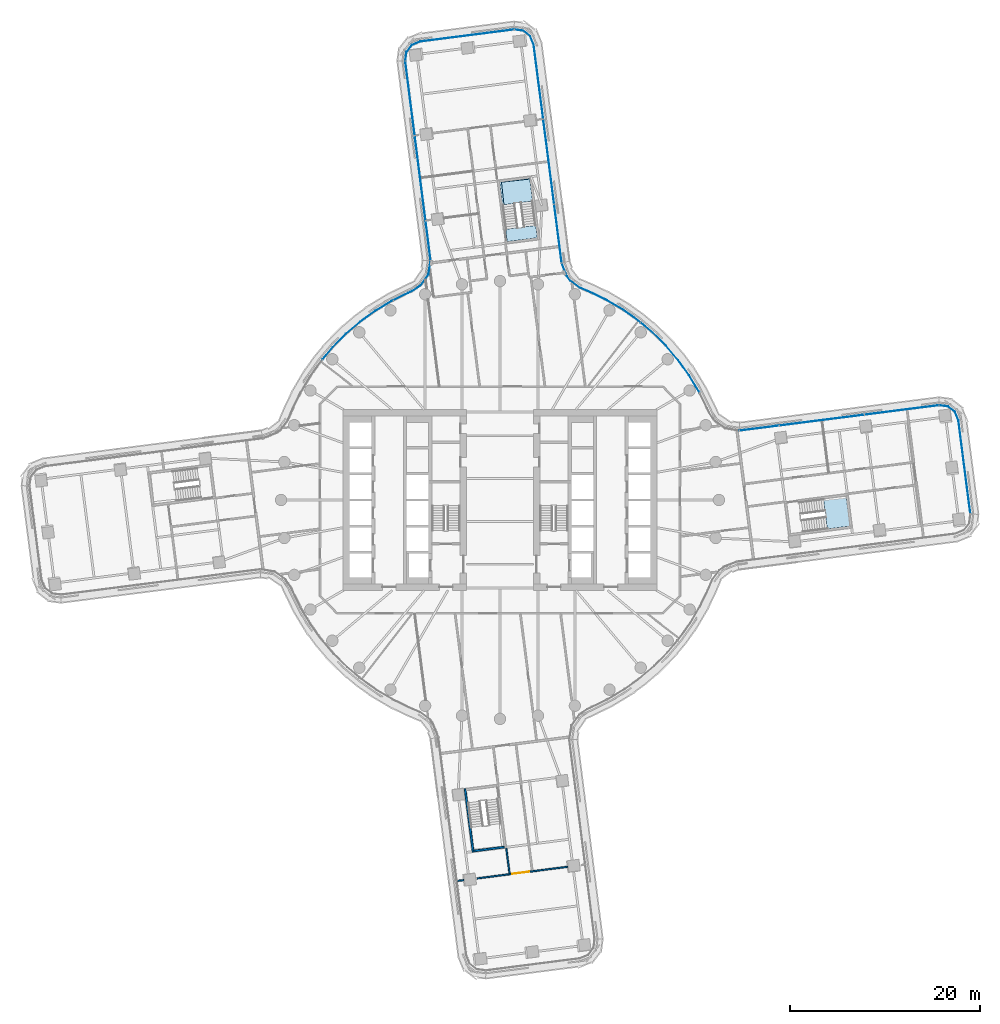
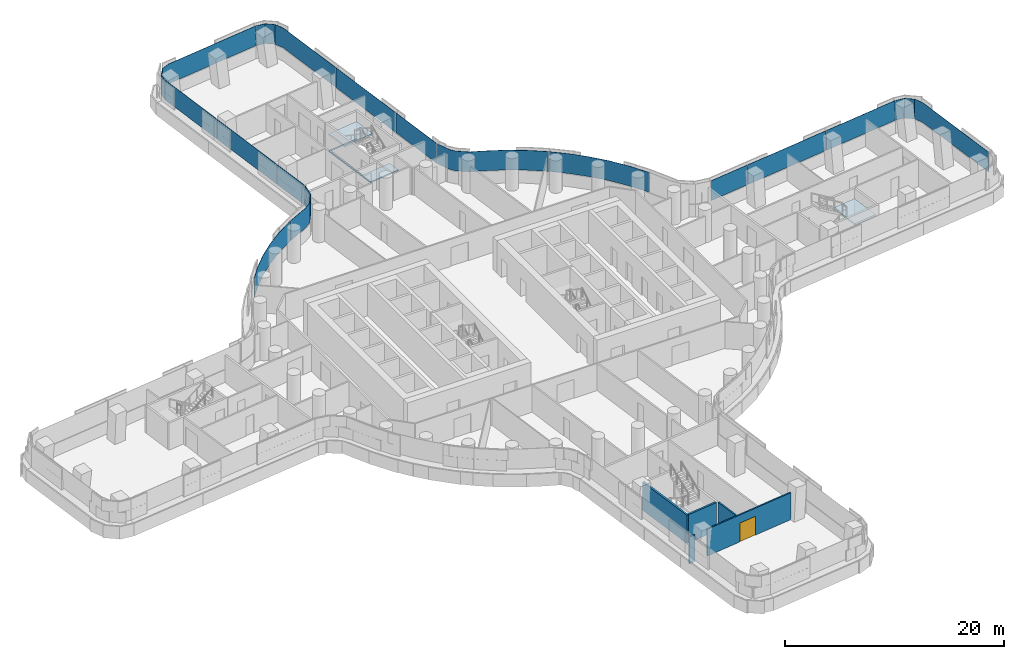
# One storey, part 18 of 31: 15 plates, 5 walls, 3 slabs, 1 door, 1 opening, 9 elements without a shape of their own.
"""IFC4 building model written with IfcOpenShell, lengths in metres."""

import ifcopenshell
import ifcopenshell.guid

model = None  # the IFC model being written
_history = None  # IfcOwnerHistory: only IFC2X3 demands one
_inside = {}  # id of a spatial element -> (the spatial element, [elements in it])
_under = {}  # id of a project, library or spatial element -> (it, [spatial elements below it])
_declared = {}  # id of a project -> (the project, [libraries it declares])
_typed = {}  # id of a type object -> (the type object, [elements of that type])
_made_of = {}  # id of a material, layer set ... -> (it, [elements and type objects made of it])


def new_model(schema):
    """Start an empty IFC model of exactly this schema.

    Asked for "IFC4X3", IfcOpenShell would pick the latest addendum, in which some entities
    have other attributes; the version numbers below select the first issue.
    IFC2X3 requires an IfcOwnerHistory on every rooted entity: one is made here for all.
    """
    global model, _history
    if schema == "IFC4X3":
        model = ifcopenshell.file(schema_version=(4, 3, 0, 0))
    else:
        model = ifcopenshell.file(schema=schema)
    _inside.clear()
    _under.clear()
    _declared.clear()
    _typed.clear()
    _made_of.clear()
    _history = None
    if model.schema == "IFC2X3":
        org = make("IfcOrganization", Name="unknown")
        user = make(
            "IfcPersonAndOrganization",
            ThePerson=make("IfcPerson", FamilyName="unknown"),
            TheOrganization=org,
        )
        app = make(
            "IfcApplication",
            ApplicationDeveloper=org,
            Version="unknown",
            ApplicationFullName="unknown",
            ApplicationIdentifier="unknown",
        )
        _history = make(
            "IfcOwnerHistory",
            OwningUser=user,
            OwningApplication=app,
            ChangeAction="ADDED",
            CreationDate=0,
        )
    return model


def make(cls, **values):
    """One entity of the class cls with the attributes given. An attribute that is None is left unset."""
    return model.create_entity(
        cls, **{name: value for name, value in values.items() if value is not None}
    )


def rooted(cls, **values):
    """An entity with a GlobalId (a new one), such as an element, a storey or a relation."""
    return make(cls, GlobalId=ifcopenshell.guid.new(), OwnerHistory=_history, **values)


def si_unit(unit_type, name, prefix=None):
    """IfcSIUnit, for example si_unit("LENGTHUNIT", "METRE", prefix="MILLI")."""
    return make("IfcSIUnit", UnitType=unit_type, Prefix=prefix, Name=name)


def assignment(units):
    """IfcUnitAssignment: the units of a project."""
    return None if units is None else make("IfcUnitAssignment", Units=units)


def point(xyz):
    """IfcCartesianPoint."""
    return None if xyz is None else make("IfcCartesianPoint", Coordinates=xyz)


def direction(xyz):
    """IfcDirection."""
    return None if xyz is None else make("IfcDirection", DirectionRatios=xyz)


def frame(location, z_axis=None, x_axis=None):
    """IfcAxis2Placement3D, a coordinate frame: its origin and axes. An axis left out is left unset."""
    return make(
        "IfcAxis2Placement3D",
        Location=point(location),
        Axis=direction(z_axis),
        RefDirection=direction(x_axis),
    )


def frame_2d(location, x_axis=None):
    """IfcAxis2Placement2D, a coordinate frame in the plane: its origin and x axis."""
    return make(
        "IfcAxis2Placement2D", Location=point(location), RefDirection=direction(x_axis)
    )


def origin():
    """The frame at (0, 0, 0) with its axes left unset."""
    return frame((0.0, 0.0, 0.0))


def place(relative_to, where):
    """IfcLocalPlacement: puts the frame where relative to a parent placement (None: the world)."""
    return make(
        "IfcLocalPlacement", PlacementRelTo=relative_to, RelativePlacement=where
    )


def context(
    kind, dimensions, precision=None, world=None, true_north=None, identifier=None
):
    """IfcGeometricRepresentationContext, for example the 3D "Model" context."""
    return make(
        "IfcGeometricRepresentationContext",
        ContextIdentifier=identifier,
        ContextType=kind,
        CoordinateSpaceDimension=dimensions,
        Precision=precision,
        WorldCoordinateSystem=world,
        TrueNorth=true_north,
    )


def subcontext(parent, identifier, kind, view, scale=None):
    """IfcGeometricRepresentationSubContext, for example "Body" below "Model"."""
    return make(
        "IfcGeometricRepresentationSubContext",
        ContextIdentifier=identifier,
        ContextType=kind,
        ParentContext=parent,
        TargetScale=scale,
        TargetView=view,
    )


def project(units=None, contexts=None):
    """IfcProject with its units and contexts."""
    return rooted(
        "IfcProject",
        Name="project",
        RepresentationContexts=contexts,
        UnitsInContext=assignment(units),
    )


def spatial(cls, under=None, at=None, **own):
    """A site, building, storey or space (cls), placed at a placement, below another one or the project."""
    s = rooted(cls, ObjectPlacement=at, **own)
    if under is not None:
        _under.setdefault(under.id(), (under, []))[1].append(s)
    return s


def polyline(points):
    """IfcPolyline through the points."""
    return make("IfcPolyline", Points=[point(p) for p in points])


def profile(cls, at=None, kind="AREA", **sizes):
    """A parametric profile (cls). Its sizes go by their IFC names, for example OverallWidth=200.0."""
    return make(cls, ProfileType=kind, Position=at, **sizes)


def rectangle(**sizes):
    """IfcRectangleProfileDef."""
    return profile("IfcRectangleProfileDef", **sizes)


def outline(outer, holes=None, kind="AREA"):
    """IfcArbitraryClosedProfileDef: a profile drawn as a closed curve; with holes, ...WithVoids."""
    if holes is None:
        return make("IfcArbitraryClosedProfileDef", ProfileType=kind, OuterCurve=outer)
    return make(
        "IfcArbitraryProfileDefWithVoids",
        ProfileType=kind,
        OuterCurve=outer,
        InnerCurves=holes,
    )


def extrude(swept, where, along, depth):
    """IfcExtrudedAreaSolid: the profile swept, set in the frame where, extruded along a direction by depth."""
    return make(
        "IfcExtrudedAreaSolid",
        SweptArea=swept,
        Position=where,
        ExtrudedDirection=direction(along),
        Depth=depth,
    )


def shape(context_of_items, identifier, shape_type, items):
    """IfcShapeRepresentation: the items that make up one representation, for example the "Body"."""
    return make(
        "IfcShapeRepresentation",
        ContextOfItems=context_of_items,
        RepresentationIdentifier=identifier,
        RepresentationType=shape_type,
        Items=items,
    )


def material(Name=None, Category=None):
    """IfcMaterial."""
    return make("IfcMaterial", Name=Name, Category=Category)


def layer(
    of_material, thickness, ventilated=None, Name=None, Category=None, Priority=None
):
    """IfcMaterialLayer: one layer of a wall or slab, of a material (None: an air gap)."""
    return make(
        "IfcMaterialLayer",
        Material=of_material,
        LayerThickness=thickness,
        IsVentilated=ventilated,
        Name=Name,
        Category=Category,
        Priority=Priority,
    )


def layer_set(layers, Name=None):
    """IfcMaterialLayerSet."""
    return make("IfcMaterialLayerSet", MaterialLayers=layers, LayerSetName=Name)


def made_of(thing, what):
    """Note that an element or type object is made of a material, layer set ...; save() writes the relation."""
    if what is not None:
        _made_of.setdefault(what.id(), (what, []))[1].append(thing)
    return thing


def type_object(cls, material=None, **own):
    """A type object (cls), such as IfcWallType, which elements share."""
    return made_of(rooted(cls, **own), material)


def element(
    cls,
    number,
    at=None,
    inside=None,
    cuts=None,
    type_object=None,
    material=None,
    context=None,
    identifier="Body",
    shape_type=None,
    held_by="IfcProductDefinitionShape",
    body=None,
    shapes=None,
    **own,
):
    """One element of the class cls, such as IfcWall. Its Tag is "e" and its number.

    at: its placement. inside: the storey or other place that contains it. cuts: it is an
    opening in that element (IfcRelVoidsElement). A single representation is given by context,
    identifier, shape_type and body (its items); several are given by shapes. held_by: the class
    of the entity that holds the representations. save() writes the other relations.
    """
    e = rooted(cls, Tag="e%d" % number, ObjectPlacement=at, **own)
    if body is not None:
        shapes = [shape(context, identifier, shape_type, body)]
    if shapes is not None:
        e.Representation = make(held_by, Representations=shapes)
    if inside is not None:
        _inside.setdefault(inside.id(), (inside, []))[1].append(e)
    if cuts is not None:
        rooted(
            "IfcRelVoidsElement", RelatingBuildingElement=cuts, RelatedOpeningElement=e
        )
    if type_object is not None:
        _typed.setdefault(type_object.id(), (type_object, []))[1].append(e)
    return made_of(e, material)


def fill(opening, filler):
    """IfcRelFillsElement: the door or window that sits in an opening."""
    return rooted(
        "IfcRelFillsElement",
        RelatingOpeningElement=opening,
        RelatedBuildingElement=filler,
    )


def aggregate(whole, parts):
    """IfcRelAggregates: a whole, such as a stair, and the parts it consists of."""
    return rooted("IfcRelAggregates", RelatingObject=whole, RelatedObjects=parts)


def save(model, path):
    """Write the relations noted so far, then the file.

    IfcRelAggregates (storeys below a building ...), IfcRelContainedInSpatialStructure (elements
    in a storey), IfcRelDefinesByType, IfcRelAssociatesMaterial and IfcRelDeclares: one each for
    every whole, place, type object, material and project.
    """
    for whole, parts in _under.values():
        aggregate(whole, parts)
    for where, things in _inside.values():
        rooted(
            "IfcRelContainedInSpatialStructure",
            RelatedElements=things,
            RelatingStructure=where,
        )
    for kind, things in _typed.values():
        rooted("IfcRelDefinesByType", RelatedObjects=things, RelatingType=kind)
    for what, things in _made_of.values():
        rooted("IfcRelAssociatesMaterial", RelatedObjects=things, RelatingMaterial=what)
    for by, libraries in _declared.values():
        rooted("IfcRelDeclares", RelatingContext=by, RelatedDefinitions=libraries)
    model.write(path)


model = new_model("IFC4")

# Units and contexts
model_context = context("Model", 3, precision=1e-05, world=origin(), true_north=direction((0.0, 1.0)))
body_context = subcontext(model_context, "Body", "Model", "MODEL_VIEW")
ifc_project = project(units=[si_unit("LENGTHUNIT", "METRE"), si_unit("AREAUNIT", "SQUARE_METRE"), si_unit("VOLUMEUNIT", "CUBIC_METRE"), si_unit("PLANEANGLEUNIT", "RADIAN"), si_unit("MASSUNIT", "GRAM", prefix="KILO")], contexts=[model_context])

# Site, building, storey
site_placement = place(None, origin())
site = spatial("IfcSite", under=ifc_project, at=site_placement, CompositionType="ELEMENT")
building_placement = place(site_placement, origin())
building = spatial("IfcBuilding", under=site, at=building_placement, Name="Tamarind Cross Interchange Tower", CompositionType="ELEMENT")
storey_placement = place(building_placement, frame((0.0, 0.0, 60.25)))
storey = spatial("IfcBuildingStorey", under=building, at=storey_placement, Name="L13", CompositionType="ELEMENT", Elevation=60.25)

# Slab
ifc_material_1 = material(Name="Concrete C35", Category="concrete")
ifc_layer_1 = layer(ifc_material_1, 0.139892578125)
ifc_layer_set_1 = layer_set([ifc_layer_1], Name="Concrete C35")
slab_type_1 = type_object("IfcSlabType", Name="Composite slab 140 Concrete C35", PredefinedType="FLOOR", material=ifc_layer_set_1)
slab_1_placement = place(storey_placement, frame((0.0, 0.0, -0.139892578125)))
element("IfcSlab", 1, at=slab_1_placement, inside=storey, type_object=slab_type_1, Name="Floor slab L13", PredefinedType="FLOOR", context=body_context, shape_type="SweptSolid", body=[
    extrude(outline(polyline([(0.752197265625, 27.137451171875), (3.926025390625, 27.544921875), (3.759033203125, 28.84619140625), (0.699462890625, 28.45361328125), (0.15771484375, 33.38525390625), (3.134521484375, 33.71240234375), (3.1240234375, 33.793701171875), (-0.0498046875, 33.38623046875), (0.752197265625, 27.137451171875)])), origin(), (0.0, 0.0, 1.0), 0.139892578125),
])

# Stair, slab
ifc_material_2 = material(Name="Exit stair")
stair_type = type_object("IfcStairType", Name="Exit stair", PredefinedType="HALF_TURN_STAIR", material=ifc_material_2)
stair_1_placement = place(storey_placement, origin())
stair_1 = element("IfcStair", 2, at=stair_1_placement, inside=storey, type_object=stair_type, Name="L13 exit stair ST3", PredefinedType="HALF_TURN_STAIR")
ifc_material_3 = material(Name="Concrete C40", Category="concrete")
ifc_layer_2 = layer(ifc_material_3, 0.199951171875)
ifc_layer_set_2 = layer_set([ifc_layer_2], Name="Concrete C40")
slab_type_2 = type_object("IfcSlabType", Name="Stair landing", PredefinedType="LANDING", material=ifc_layer_set_2)
slab_2_placement = place(storey_placement, frame((0.0, 0.0, 1.675048828125)))
slab_2 = element("IfcSlab", 3, at=slab_2_placement, type_object=slab_type_2, Name="ST3 landing 1", PredefinedType="LANDING", context=body_context, shape_type="SweptSolid", body=[
    extrude(outline(polyline([(34.376953125, -3.04931640625), (36.769287109375, -2.7421875), (36.36181640625, 0.431884765625), (33.969482421875, 0.124755859375), (34.376953125, -3.04931640625)])), origin(), (0.0, 0.0, 1.0), 0.199951171875),
])
aggregate(stair_1, [slab_2])

stair_2_placement = place(storey_placement, origin())
stair_2 = element("IfcStair", 4, at=stair_2_placement, inside=storey, type_object=stair_type, Name="L13 exit stair ST4", PredefinedType="HALF_TURN_STAIR")
slab_3_placement = place(storey_placement, frame((0.0, 0.0, 1.675048828125)))
slab_3 = element("IfcSlab", 5, at=slab_3_placement, type_object=slab_type_2, Name="ST4 landing 1", PredefinedType="LANDING", context=body_context, shape_type="SweptSolid", body=[
    extrude(outline(polyline([(3.43115234375, 31.4013671875), (3.1240234375, 33.793701171875), (-0.0498046875, 33.38623046875), (0.257080078125, 30.993896484375), (3.43115234375, 31.4013671875)])), origin(), (0.0, 0.0, 1.0), 0.199951171875),
])
aggregate(stair_2, [slab_3])

# Curtain wall, plate
ifc_material_4 = material(Name="Aluminium 6063-T6", Category="aluminium")
ifc_layer_3 = layer(ifc_material_4, 0.159912109375)
ifc_layer_set_3 = layer_set([ifc_layer_3], Name="Aluminium 6063-T6")
curtain_wall_type = type_object("IfcCurtainWallType", Name="Office curtain wall, 9.0 m bays", PredefinedType="NOTDEFINED", material=ifc_layer_set_3)
curtain_wall_1_placement = place(storey_placement, origin())
curtain_wall_1 = element("IfcCurtainWall", 6, at=curtain_wall_1_placement, inside=storey, type_object=curtain_wall_type, Name="CWS-L13-08", PredefinedType="NOTDEFINED")
ifc_material_5 = material(Name="Laminated low-e glass 8+1.52+8", Category="glass")
ifc_layer_4 = layer(ifc_material_5, 0.028076171875)
ifc_layer_set_4 = layer_set([ifc_layer_4], Name="Laminated low-e glass 8+1.52+8")
plate_type = type_object("IfcPlateType", Name="Vision panel CW1", PredefinedType="CURTAIN_PANEL", material=ifc_layer_set_4)
plate_1_placement = place(storey_placement, frame((0.0, 0.0, 1.39990234375)))
plate_1 = element("IfcPlate", 7, at=plate_1_placement, type_object=plate_type, Name="CWP-L13-08-00", PredefinedType="CURTAIN_PANEL", context=body_context, shape_type="SweptSolid", body=[
    extrude(outline(polyline([(49.40478515625, -1.467041015625), (48.142578125, 8.367919921875), (47.781982421875, 9.24658203125), (47.053466796875, 9.809326171875), (46.139892578125, 9.9326171875), (46.143798828125, 9.960205078125), (47.064453125, 9.8359375), (47.804931640625, 9.26416015625), (48.169921875, 8.375), (49.4326171875, -1.46337890625), (49.40478515625, -1.467041015625)])), origin(), (0.0, 0.0, 1.0), 2.210205078125),
])
aggregate(curtain_wall_1, [plate_1])

# Curtain wall, plates
curtain_wall_2_placement = place(storey_placement, origin())
curtain_wall_2 = element("IfcCurtainWall", 8, at=curtain_wall_2_placement, inside=storey, type_object=curtain_wall_type, Name="CWS-L13-09", PredefinedType="NOTDEFINED")
plate_2_placement = place(storey_placement, frame((0.0, 0.0, 1.39990234375)))
plate_2 = element("IfcPlate", 9, at=plate_2_placement, type_object=plate_type, Name="CWP-L13-09-00", PredefinedType="CURTAIN_PANEL", context=body_context, shape_type="SweptSolid", body=[
    extrude(outline(polyline([(46.083984375, 9.932861328125), (38.296875, 8.9423828125), (38.293212890625, 8.97021484375), (46.08056640625, 9.96044921875), (46.083984375, 9.932861328125)])), origin(), (0.0, 0.0, 1.0), 2.210205078125),
])
plate_3_placement = place(storey_placement, frame((0.0, 0.0, 1.39990234375)))
plate_3 = element("IfcPlate", 10, at=plate_3_placement, type_object=plate_type, Name="CWP-L13-09-01", PredefinedType="CURTAIN_PANEL", context=body_context, shape_type="SweptSolid", body=[
    extrude(outline(polyline([(38.2373046875, 8.934814453125), (29.36767578125, 7.806884765625), (29.364013671875, 7.834716796875), (38.233642578125, 8.962646484375), (38.2373046875, 8.934814453125)])), origin(), (0.0, 0.0, 1.0), 2.210205078125),
])
plate_4_placement = place(storey_placement, frame((0.0, 0.0, 1.39990234375)))
plate_4 = element("IfcPlate", 11, at=plate_4_placement, type_object=plate_type, Name="CWP-L13-09-02", PredefinedType="CURTAIN_PANEL", context=body_context, shape_type="SweptSolid", body=[
    extrude(outline(polyline([(29.30810546875, 7.79931640625), (25.18212890625, 7.2744140625), (25.178466796875, 7.30224609375), (29.304443359375, 7.8271484375), (29.30810546875, 7.79931640625)])), origin(), (0.0, 0.0, 1.0), 2.210205078125),
])
aggregate(curtain_wall_2, [plate_2, plate_3, plate_4])

curtain_wall_3_placement = place(storey_placement, origin())
curtain_wall_3 = element("IfcCurtainWall", 12, at=curtain_wall_3_placement, inside=storey, type_object=curtain_wall_type, Name="CWS-L13-10", PredefinedType="NOTDEFINED")
plate_5_placement = place(storey_placement, frame((0.0, 0.0, 1.39990234375)))
plate_5 = element("IfcPlate", 13, at=plate_5_placement, type_object=plate_type, Name="CWP-L13-10-01", PredefinedType="CURTAIN_PANEL", context=body_context, shape_type="SweptSolid", body=[
    extrude(outline(polyline([(20.948486328125, 11.242919921875), (20.866455078125, 11.40869140625), (19.85302734375, 13.093017578125), (18.7041015625, 14.687744140625), (17.42724609375, 16.18212890625), (16.031494140625, 17.56591796875), (14.757568359375, 18.635498046875), (14.775634765625, 18.656982421875), (16.05029296875, 17.586669921875), (17.44775390625, 16.201171875), (18.72607421875, 14.705078125), (19.87646484375, 13.1083984375), (20.89111328125, 11.422119140625), (20.9736328125, 11.25537109375), (20.948486328125, 11.242919921875)])), origin(), (0.0, 0.0, 1.0), 2.210205078125),
])
plate_6_placement = place(storey_placement, frame((0.0, 0.0, 1.39990234375)))
plate_6 = element("IfcPlate", 14, at=plate_6_placement, type_object=plate_type, Name="CWP-L13-10-02", PredefinedType="CURTAIN_PANEL", context=body_context, shape_type="SweptSolid", body=[
    extrude(outline(polyline([(14.711669921875, 18.674072265625), (14.526123046875, 18.829833984375), (12.921630859375, 19.965087890625), (11.228759765625, 20.9638671875), (9.455810546875, 21.8212890625), (8.36767578125, 22.28466796875), (7.374267578125, 23.02392578125), (7.017333984375, 23.48095703125), (6.48291015625, 24.8544921875), (6.509033203125, 24.86474609375), (7.041748046875, 23.494873046875), (7.39404296875, 23.044189453125), (8.3818359375, 22.30908203125), (9.467529296875, 21.8466796875), (11.241943359375, 20.98876953125), (12.936767578125, 19.988525390625), (14.543212890625, 18.85205078125), (14.729736328125, 18.695556640625), (14.711669921875, 18.674072265625)])), origin(), (0.0, 0.0, 1.0), 2.210205078125),
])
aggregate(curtain_wall_3, [plate_5, plate_6])

curtain_wall_4_placement = place(storey_placement, origin())
curtain_wall_4 = element("IfcCurtainWall", 15, at=curtain_wall_4_placement, inside=storey, type_object=curtain_wall_type, Name="CWS-L13-11", PredefinedType="NOTDEFINED")
plate_7_placement = place(storey_placement, frame((0.0, 0.0, 1.39990234375)))
plate_7 = element("IfcPlate", 16, at=plate_7_placement, type_object=plate_type, Name="CWP-L13-11-00", PredefinedType="CURTAIN_PANEL", context=body_context, shape_type="SweptSolid", body=[
    extrude(outline(polyline([(6.467529296875, 24.91552734375), (5.68115234375, 31.041748046875), (5.708984375, 31.04541015625), (6.4951171875, 24.919189453125), (6.467529296875, 24.91552734375)])), origin(), (0.0, 0.0, 1.0), 2.210205078125),
])
plate_8_placement = place(storey_placement, frame((0.0, 0.0, 1.39990234375)))
plate_8 = element("IfcPlate", 17, at=plate_8_placement, type_object=plate_type, Name="CWP-L13-11-01", PredefinedType="CURTAIN_PANEL", context=body_context, shape_type="SweptSolid", body=[
    extrude(outline(polyline([(5.673583984375, 31.101318359375), (4.53564453125, 39.9677734375), (4.5634765625, 39.971435546875), (5.701416015625, 31.10498046875), (5.673583984375, 31.101318359375)])), origin(), (0.0, 0.0, 1.0), 2.210205078125),
])
plate_9_placement = place(storey_placement, frame((0.0, 0.0, 1.39990234375)))
plate_9 = element("IfcPlate", 18, at=plate_9_placement, type_object=plate_type, Name="CWP-L13-11-02", PredefinedType="CURTAIN_PANEL", context=body_context, shape_type="SweptSolid", body=[
    extrude(outline(polyline([(4.52783203125, 40.02734375), (3.525146484375, 47.83984375), (3.16455078125, 48.718505859375), (2.43603515625, 49.28125), (1.522705078125, 49.404541015625), (1.526611328125, 49.432373046875), (2.447265625, 49.30810546875), (3.187744140625, 48.736083984375), (3.552490234375, 47.84716796875), (4.5556640625, 40.031005859375), (4.52783203125, 40.02734375)])), origin(), (0.0, 0.0, 1.0), 2.210205078125),
])
aggregate(curtain_wall_4, [plate_7, plate_8, plate_9])

# Curtain wall, plate
curtain_wall_5_placement = place(storey_placement, origin())
curtain_wall_5 = element("IfcCurtainWall", 19, at=curtain_wall_5_placement, inside=storey, type_object=curtain_wall_type, Name="CWS-L13-12", PredefinedType="NOTDEFINED")
plate_10_placement = place(storey_placement, frame((0.0, 0.0, 1.39990234375)))
plate_10 = element("IfcPlate", 20, at=plate_10_placement, type_object=plate_type, Name="CWP-L13-12-00", PredefinedType="CURTAIN_PANEL", context=body_context, shape_type="SweptSolid", body=[
    extrude(outline(polyline([(1.467041015625, 49.40478515625), (-8.367919921875, 48.142578125), (-9.24658203125, 47.781982421875), (-9.809326171875, 47.053466796875), (-9.9326171875, 46.139892578125), (-9.960205078125, 46.143798828125), (-9.8359375, 47.064453125), (-9.26416015625, 47.804931640625), (-8.375, 48.169921875), (1.46337890625, 49.4326171875), (1.467041015625, 49.40478515625)])), origin(), (0.0, 0.0, 1.0), 2.210205078125),
])
aggregate(curtain_wall_5, [plate_10])

# Curtain wall, plates
curtain_wall_6_placement = place(storey_placement, origin())
curtain_wall_6 = element("IfcCurtainWall", 21, at=curtain_wall_6_placement, inside=storey, type_object=curtain_wall_type, Name="CWS-L13-13", PredefinedType="NOTDEFINED")
plate_11_placement = place(storey_placement, frame((0.0, 0.0, 1.39990234375)))
plate_11 = element("IfcPlate", 22, at=plate_11_placement, type_object=plate_type, Name="CWP-L13-13-00", PredefinedType="CURTAIN_PANEL", context=body_context, shape_type="SweptSolid", body=[
    extrude(outline(polyline([(-9.932861328125, 46.083984375), (-8.9423828125, 38.296875), (-8.97021484375, 38.293212890625), (-9.96044921875, 46.08056640625), (-9.932861328125, 46.083984375)])), origin(), (0.0, 0.0, 1.0), 2.210205078125),
])
plate_12_placement = place(storey_placement, frame((0.0, 0.0, 1.39990234375)))
plate_12 = element("IfcPlate", 23, at=plate_12_placement, type_object=plate_type, Name="CWP-L13-13-01", PredefinedType="CURTAIN_PANEL", context=body_context, shape_type="SweptSolid", body=[
    extrude(outline(polyline([(-8.934814453125, 38.2373046875), (-7.806884765625, 29.36767578125), (-7.834716796875, 29.364013671875), (-8.962646484375, 38.233642578125), (-8.934814453125, 38.2373046875)])), origin(), (0.0, 0.0, 1.0), 2.210205078125),
])
plate_13_placement = place(storey_placement, frame((0.0, 0.0, 1.39990234375)))
plate_13 = element("IfcPlate", 24, at=plate_13_placement, type_object=plate_type, Name="CWP-L13-13-02", PredefinedType="CURTAIN_PANEL", context=body_context, shape_type="SweptSolid", body=[
    extrude(outline(polyline([(-7.79931640625, 29.30810546875), (-7.2744140625, 25.18212890625), (-7.30224609375, 25.178466796875), (-7.8271484375, 29.304443359375), (-7.79931640625, 29.30810546875)])), origin(), (0.0, 0.0, 1.0), 2.210205078125),
])
aggregate(curtain_wall_6, [plate_11, plate_12, plate_13])

curtain_wall_7_placement = place(storey_placement, origin())
curtain_wall_7 = element("IfcCurtainWall", 25, at=curtain_wall_7_placement, inside=storey, type_object=curtain_wall_type, Name="CWS-L13-14", PredefinedType="NOTDEFINED")
plate_14_placement = place(storey_placement, frame((0.0, 0.0, 1.39990234375)))
plate_14 = element("IfcPlate", 26, at=plate_14_placement, type_object=plate_type, Name="CWP-L13-14-00", PredefinedType="CURTAIN_PANEL", context=body_context, shape_type="SweptSolid", body=[
    extrude(outline(polyline([(-7.275634765625, 25.11865234375), (-7.509033203125, 23.680908203125), (-8.3017578125, 22.543701171875), (-9.1640625, 21.96240234375), (-9.640869140625, 21.740234375), (-11.189208984375, 20.97509765625), (-11.201416015625, 21.000244140625), (-9.653076171875, 21.765380859375), (-9.177734375, 21.987060546875), (-8.32177734375, 22.56396484375), (-7.53564453125, 23.69189453125), (-7.30322265625, 25.123291015625), (-7.275634765625, 25.11865234375)])), origin(), (0.0, 0.0, 1.0), 2.210205078125),
])
plate_15_placement = place(storey_placement, frame((0.0, 0.0, 1.39990234375)))
plate_15 = element("IfcPlate", 27, at=plate_15_placement, type_object=plate_type, Name="CWP-L13-14-01", PredefinedType="CURTAIN_PANEL", context=body_context, shape_type="SweptSolid", body=[
    extrude(outline(polyline([(-11.242919921875, 20.948486328125), (-11.40869140625, 20.866455078125), (-13.093017578125, 19.85302734375), (-14.687744140625, 18.7041015625), (-16.18212890625, 17.42724609375), (-17.56591796875, 16.031494140625), (-18.635498046875, 14.757568359375), (-18.656982421875, 14.775634765625), (-17.586669921875, 16.05029296875), (-16.201171875, 17.44775390625), (-14.705078125, 18.72607421875), (-13.1083984375, 19.87646484375), (-11.422119140625, 20.89111328125), (-11.25537109375, 20.9736328125), (-11.242919921875, 20.948486328125)])), origin(), (0.0, 0.0, 1.0), 2.210205078125),
])
aggregate(curtain_wall_7, [plate_14, plate_15])

# Walls
ifc_material_6 = material(Name="Gypsum board partition on steel studs", Category="steel")
ifc_layer_5 = layer(ifc_material_6, 0.14990234375)
ifc_layer_set_5 = layer_set([ifc_layer_5], Name="Gypsum board partition on steel studs")
wall_type_1 = type_object("IfcWallType", Name="Partition 150 mm EI 120", PredefinedType="PARTITIONING", material=ifc_layer_set_5)
wall_1_placement = place(storey_placement, frame((0.660888671875, -36.574951171875, 0.0), z_axis=(0.0, 0.0, 1.0), x_axis=(0.127324911717, -0.991861062274, 0.0)))
element("IfcWall", 28, at=wall_1_placement, inside=storey, type_object=wall_type_1, Name="Partition L13-016", PredefinedType="PARTITIONING", context=body_context, shape_type="SweptSolid", body=[
    extrude(rectangle(XDim=2.684326171875, YDim=0.14990234375, at=frame_2d((1.34228515625, 0.0))), origin(), (0.0, 0.0, 1.0), 3.010009765625),
])
wall_2_placement = place(storey_placement, frame((-4.442138671875, -40.011962890625, 0.0), z_axis=(0.0, 0.0, 1.0), x_axis=(0.991824726321, 0.127607649688, 0.0)))
element("IfcWall", 29, at=wall_2_placement, inside=storey, type_object=wall_type_1, Name="Partition L13-054", PredefinedType="PARTITIONING", context=body_context, shape_type="SweptSolid", body=[
    extrude(rectangle(XDim=0.638916015625, YDim=0.14990234375, at=frame_2d((0.3193359375, 0.0))), origin(), (0.0, 0.0, 1.0), 3.010009765625),
])

# Wall, opening, door
wall_3_placement = place(storey_placement, frame((-2.39697265625, -39.74951171875, 0.0), z_axis=(0.0, 0.0, 1.0), x_axis=(0.991861974368, 0.127317806309, 0.0)))
wall_3 = element("IfcWall", 30, at=wall_3_placement, inside=storey, type_object=wall_type_1, Name="Partition L13-055", PredefinedType="PARTITIONING", context=body_context, shape_type="SweptSolid", body=[
    extrude(rectangle(XDim=9.58984375, YDim=0.14990234375, at=frame_2d((4.794921875, 0.0))), origin(), (0.0, 0.0, 1.0), 3.010009765625),
])
opening_placement = place(wall_3_placement, frame((3.73681640625, 0.0, 0.0)))
opening = element("IfcOpeningElement", 31, at=opening_placement, cuts=wall_3, Name="Opening D31", PredefinedType="OPENING", context=body_context, shape_type="SweptSolid", body=[
    extrude(rectangle(XDim=1.800048828125, YDim=2.10009765625, at=frame_2d((0.89990234375, 1.050048828125))), frame((0.0, 0.0849609375, 0.0), z_axis=(0.0, -1.0, 0.0), x_axis=(1.0, 0.0, 0.0)), (0.0, 0.0, 1.0), 0.169921875),
])
ifc_material_7 = material(Name="Fire-resisting door set")
door_type = type_object("IfcDoorType", Name="Interior door 1800 x 2100 FD60S", OperationType="DOUBLE_DOOR_SINGLE_SWING", PredefinedType="DOOR", material=ifc_material_7)
door_placement = place(opening_placement, origin())
door = element("IfcDoor", 32, at=door_placement, inside=storey, type_object=door_type, Name="Door D31", OperationType="DOUBLE_DOOR_SINGLE_SWING", OverallHeight=2.10009765625, OverallWidth=1.800048828125, PredefinedType="DOOR", context=body_context, shape_type="SweptSolid", body=[
    extrude(rectangle(XDim=1.800048828125, YDim=2.10009765625, at=frame_2d((0.89990234375, 1.050048828125))), frame((0.0, 0.02490234375, 0.0), z_axis=(0.0, -1.0, 0.0), x_axis=(1.0, 0.0, 0.0)), (0.0, 0.0, 1.0), 0.050048828125),
])
fill(opening, door)

# Walls
ifc_layer_6 = layer(ifc_material_3, 0.199951171875)
ifc_layer_set_6 = layer_set([ifc_layer_6], Name="Concrete C40")
wall_type_2 = type_object("IfcWallType", Name="Stair shaft wall 200 mm Concrete C40", PredefinedType="SHEAR", material=ifc_layer_set_6)
wall_4_placement = place(storey_placement, frame((-3.668701171875, -30.3349609375, -0.139892578125), z_axis=(0.0, 0.0, 1.0), x_axis=(0.127285656693, -0.991866100641, 0.0)))
element("IfcWall", 33, at=wall_4_placement, inside=storey, type_object=wall_type_2, Name="Core wall CWL-L13-ST6-C", PredefinedType="SHEAR", context=body_context, shape_type="SweptSolid", body=[
    extrude(rectangle(XDim=6.69970703125, YDim=0.199951171875, at=frame_2d((3.349853515625, 0.0))), origin(), (0.0, 0.0, 1.0), 3.14990234375),
])
wall_5_placement = place(storey_placement, frame((0.0, 0.0, -0.139892578125)))
element("IfcWall", 34, at=wall_5_placement, inside=storey, type_object=wall_type_2, Name="Core wall CWL-L13-ST6-CF", PredefinedType="SHEAR", context=body_context, shape_type="SweptSolid", body=[
    extrude(outline(polyline([(-2.7421875, -36.769287109375), (-2.716796875, -36.967529296875), (0.457275390625, -36.560302734375), (0.431884765625, -36.36181640625), (-2.7421875, -36.769287109375)])), origin(), (0.0, 0.0, 1.0), 3.14990234375),
])

save(model, "model.ifc")
